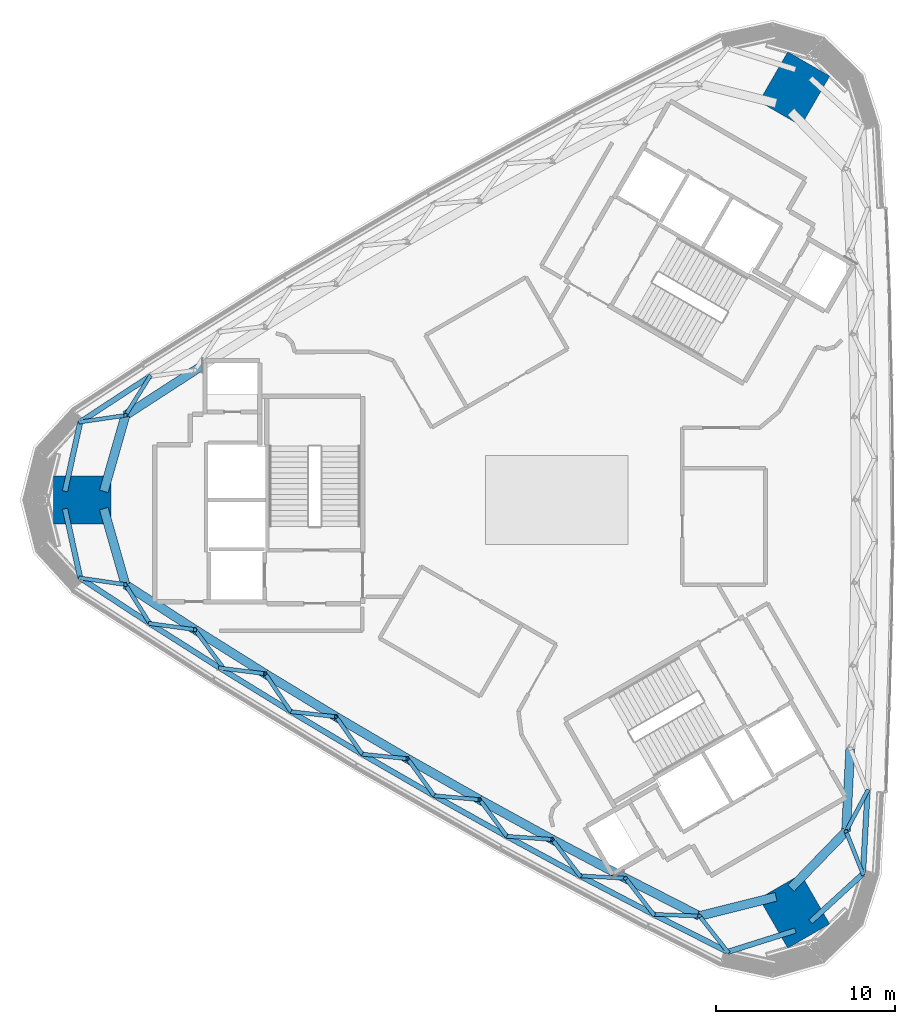
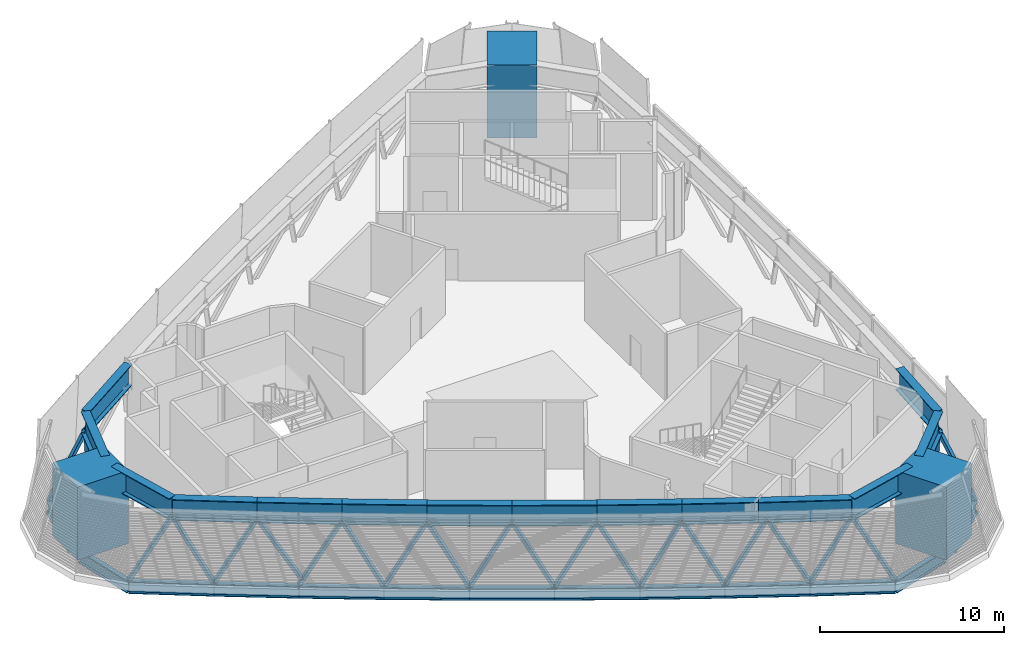
# One storey, part 1 of 18: 29 beams, 22 members, 3 columns.
"""IFC4 building model written with IfcOpenShell, lengths in metres."""

from ifc_helpers import new_model, si_unit, direction, frame, origin, origin_2d, place, context, subcontext, project, spatial, rectangle, hollow_rectangle, i_section, extrude, material, material_profile, profile_set, type_object, element, save


model = new_model("IFC4")

# Units and contexts
model_context = context("Model", 3, precision=1e-05, world=origin(), true_north=direction((0.0, 1.0)))
body_context = subcontext(model_context, "Body", "Model", "MODEL_VIEW")
ifc_project = project(units=[si_unit("LENGTHUNIT", "METRE"), si_unit("AREAUNIT", "SQUARE_METRE"), si_unit("VOLUMEUNIT", "CUBIC_METRE"), si_unit("PLANEANGLEUNIT", "RADIAN"), si_unit("MASSUNIT", "GRAM", prefix="KILO")], contexts=[model_context])

# Site, building, storey
site_placement = place(None, origin())
site = spatial("IfcSite", under=ifc_project, at=site_placement, CompositionType="ELEMENT")
building_placement = place(site_placement, origin())
building = spatial("IfcBuilding", under=site, at=building_placement, Name="Tamra Quay Hotel Tower", CompositionType="ELEMENT")
storey_placement = place(building_placement, frame((0.0, 0.0, 211.60009765625)))
storey = spatial("IfcBuildingStorey", under=building, at=storey_placement, Name="L53", CompositionType="ELEMENT", Elevation=211.60009765625)

# Columns
ifc_material_1 = material(Name="Concrete M70", Category="concrete")
ifc_material_profile_1 = material_profile(ifc_material_1, rectangle(XDim=3.199951171875, YDim=2.699951171875, at=origin_2d()), Name="MEGA COLUMN RC 2700x3200 Z4 BELT")
ifc_profile_set_1 = profile_set([ifc_material_profile_1], Name="Concrete M70")
column_type = type_object("IfcColumnType", Name="MEGA COLUMN RC 2700x3200 Z4 BELT", PredefinedType="COLUMN", material=ifc_profile_set_1)
for number, where, z_axis, x_axis, name in (
    (1, (13.244873046875, 22.94091796875, -0.400146484375), (0.0, 0.0, 1.0), (0.5, 0.866025403784, 0.0), "COL-MR4NE-L53"),
    (2, (-26.48974609375, 0.0, -0.400146484375), (0.0, 0.0, 1.0), (1.0, 0.0, 0.0), "COL-MR4W-L53"),
    (3, (13.244873046875, -22.94091796875, -0.400146484375), (0.0, 0.0, 1.0), (-0.5, 0.866025403784, 0.0), "COL-MR4SE-L53"),
):
    element("IfcColumn", number, at=place(storey_placement, frame(where, z_axis=z_axis, x_axis=x_axis)), inside=storey, type_object=column_type, Name=name, PredefinedType="COLUMN", context=body_context, shape_type="SweptSolid", body=[
        extrude(rectangle(XDim=3.199951171875, YDim=2.699951171875, at=origin_2d()), origin(), (0.0, 0.0, 1.0), 4.85009765625),
    ])

# Members
ifc_material_2 = material(Name="Structural steel IS 2062 E350", Category="steel")
ifc_material_profile_2 = material_profile(ifc_material_2, hollow_rectangle(XDim=0.219970703125, YDim=0.219970703125, WallThickness=0.010009765625, at=origin_2d()), Name="SHS 220x220x10")
ifc_profile_set_2 = profile_set([ifc_material_profile_2], Name="Structural steel IS 2062 E350")
member_type = type_object("IfcMemberType", Name="BELT BRACE SHS 220x220x10 Z4", PredefinedType="BRACE", material=ifc_profile_set_2)
member_1_placement = place(storey_placement, frame((17.069580078125, -20.856201171875, -0.400146484375), z_axis=(-0.214089426408, 0.53635851126, 0.816385487928), x_axis=(-0.928747512287, -0.370712905658, 0.0)))
element("IfcMember", 4, at=member_1_placement, inside=storey, type_object=member_type, Name="BR-L53-000", PredefinedType="BRACE", context=body_context, shape_type="SweptSolid", body=[
    extrude(hollow_rectangle(XDim=0.219970703125, YDim=0.219970703125, WallThickness=0.010009765625, at=origin_2d()), origin(), (0.0, 0.0, 1.0), 4.409912109375),
])
for number, where, z_axis, x_axis, name in (
    (5, (17.326416015625, -16.2255859375, -0.400146484375), (-0.271713670741, -0.512549532589, 0.814533398809), (0.883528375642, -0.468377635498, 0.0), "BR-L53-001"),
    (6, (-22.71484375, 6.892333984375, -0.400146484375), (-0.30806059816, -0.491560204953, 0.814534979463), (0.847350399044, -0.531034180859, 0.0), "BR-L53-032"),
):
    element("IfcMember", number, at=place(storey_placement, frame(where, z_axis=z_axis, x_axis=x_axis)), inside=storey, type_object=member_type, Name=name, PredefinedType="BRACE", context=body_context, shape_type="SweptSolid", body=[
        extrude(hollow_rectangle(XDim=0.219970703125, YDim=0.219970703125, WallThickness=0.010009765625, at=origin_2d()), origin(), (0.0, 0.0, 1.0), 4.419921875),
    ])
for number, where, z_axis, x_axis, name in (
    (7, (-26.5966796875, 4.3544921875, -0.400146484375), (0.571521741796, 0.082824423688, 0.816396358086), (-0.143420907325, 0.989661782298, 0.0), "BR-L53-033"),
    (8, (-26.5966796875, -4.3544921875, -0.400146484375), (0.571521741796, -0.082824423688, 0.816396358086), (0.143420907325, 0.989661782298, 0.0), "BR-L53-034"),
):
    element("IfcMember", number, at=place(storey_placement, frame(where, z_axis=z_axis, x_axis=x_axis)), inside=storey, type_object=member_type, Name=name, PredefinedType="BRACE", context=body_context, shape_type="SweptSolid", body=[
        extrude(hollow_rectangle(XDim=0.219970703125, YDim=0.219970703125, WallThickness=0.010009765625, at=origin_2d()), origin(), (0.0, 0.0, 1.0), 4.40966796875),
    ])
member_2_placement = place(storey_placement, frame((-22.71484375, -6.892333984375, -0.400146484375), z_axis=(-0.30806059816, 0.491560204953, 0.814534979463), x_axis=(-0.847350399044, -0.531034180859, 0.0)))
element("IfcMember", 9, at=member_2_placement, inside=storey, type_object=member_type, Name="BR-L53-035", PredefinedType="BRACE", context=body_context, shape_type="SweptSolid", body=[
    extrude(hollow_rectangle(XDim=0.219970703125, YDim=0.219970703125, WallThickness=0.010009765625, at=origin_2d()), origin(), (0.0, 0.0, 1.0), 4.419921875),
])
member_3_placement = place(storey_placement, frame((-22.71484375, -6.892333984375, -0.400146484375), z_axis=(0.571718294138, -0.077765208774, 0.816756245432), x_axis=(0.134779059198, 0.990875675956, 0.0)))
element("IfcMember", 10, at=member_3_placement, inside=storey, type_object=member_type, Name="BR-L53-036", PredefinedType="BRACE", context=body_context, shape_type="SweptSolid", body=[
    extrude(hollow_rectangle(XDim=0.219970703125, YDim=0.219970703125, WallThickness=0.010009765625, at=origin_2d()), origin(), (0.0, 0.0, 1.0), 4.40771484375),
])
member_4_placement = place(storey_placement, frame((-18.798583984375, -9.376220703125, -0.400146484375), z_axis=(0.572190999156, -0.071967090231, 0.816956668624), x_axis=(0.124791413197, 0.992182998843, 0.0)))
element("IfcMember", 11, at=member_4_placement, inside=storey, type_object=member_type, Name="BR-L53-037", PredefinedType="BRACE", context=body_context, shape_type="SweptSolid", body=[
    extrude(hollow_rectangle(XDim=0.219970703125, YDim=0.219970703125, WallThickness=0.010009765625, at=origin_2d()), origin(), (0.0, 0.0, 1.0), 4.40673828125),
])
member_5_placement = place(storey_placement, frame((-14.847900390625, -11.805908203125, -0.400146484375), z_axis=(-0.323930951184, 0.478813549811, 0.815969560328), x_axis=(-0.828261200999, -0.560342201623, 0.0)))
element("IfcMember", 12, at=member_5_placement, inside=storey, type_object=member_type, Name="BR-L53-038", PredefinedType="BRACE", context=body_context, shape_type="SweptSolid", body=[
    extrude(hollow_rectangle(XDim=0.219970703125, YDim=0.219970703125, WallThickness=0.010009765625, at=origin_2d()), origin(), (0.0, 0.0, 1.0), 4.412109375),
])
member_6_placement = place(storey_placement, frame((-14.847900390625, -11.805908203125, -0.400146484375), z_axis=(0.572971568738, -0.06537482606, 0.816963716168), x_axis=(0.113362345786, 0.993553711964, 0.0)))
element("IfcMember", 13, at=member_6_placement, inside=storey, type_object=member_type, Name="BR-L53-039", PredefinedType="BRACE", context=body_context, shape_type="SweptSolid", body=[
    extrude(hollow_rectangle(XDim=0.219970703125, YDim=0.219970703125, WallThickness=0.010009765625, at=origin_2d()), origin(), (0.0, 0.0, 1.0), 4.40673828125),
])
member_7_placement = place(storey_placement, frame((-10.8642578125, -14.18017578125, -0.400146484375), z_axis=(-0.330842366267, 0.473146112093, 0.816502348615), x_axis=(-0.819524683827, -0.573043883659, 0.0)))
element("IfcMember", 14, at=member_7_placement, inside=storey, type_object=member_type, Name="BR-L53-040", PredefinedType="BRACE", context=body_context, shape_type="SweptSolid", body=[
    extrude(hollow_rectangle(XDim=0.219970703125, YDim=0.219970703125, WallThickness=0.010009765625, at=origin_2d()), origin(), (0.0, 0.0, 1.0), 4.4091796875),
])
for number, where, z_axis, x_axis, name in (
    (15, (-10.8642578125, -14.18017578125, -0.400146484375), (0.573936789026, -0.058052866992, 0.816839290703), (0.100635047895, 0.994923407673, 0.0), "BR-L53-041"),
    (16, (-6.84814453125, -16.498779296875, -0.400146484375), (-0.337287130607, 0.468014282558, 0.816823128253), (-0.811273822759, -0.584666387357, 0.0), "BR-L53-042"),
):
    element("IfcMember", number, at=place(storey_placement, frame(where, z_axis=z_axis, x_axis=x_axis)), inside=storey, type_object=member_type, Name=name, PredefinedType="BRACE", context=body_context, shape_type="SweptSolid", body=[
        extrude(hollow_rectangle(XDim=0.219970703125, YDim=0.219970703125, WallThickness=0.010009765625, at=origin_2d()), origin(), (0.0, 0.0, 1.0), 4.407470703125),
    ])
member_8_placement = place(storey_placement, frame((-6.84814453125, -16.498779296875, -0.400146484375), z_axis=(0.575152279908, -0.049945831951, 0.81652021946), x_axis=(0.086513728131, 0.996250658642, 0.0)))
element("IfcMember", 17, at=member_8_placement, inside=storey, type_object=member_type, Name="BR-L53-043", PredefinedType="BRACE", context=body_context, shape_type="SweptSolid", body=[
    extrude(hollow_rectangle(XDim=0.219970703125, YDim=0.219970703125, WallThickness=0.010009765625, at=origin_2d()), origin(), (0.0, 0.0, 1.0), 4.4091796875),
])
member_9_placement = place(storey_placement, frame((-2.80029296875, -18.76171875, -0.400146484375), z_axis=(-0.343101464201, 0.46354431632, 0.816950458761), x_axis=(-0.803776667436, -0.59493114634, 0.0)))
element("IfcMember", 18, at=member_9_placement, inside=storey, type_object=member_type, Name="BR-L53-044", PredefinedType="BRACE", context=body_context, shape_type="SweptSolid", body=[
    extrude(hollow_rectangle(XDim=0.219970703125, YDim=0.219970703125, WallThickness=0.010009765625, at=origin_2d()), origin(), (0.0, 0.0, 1.0), 4.40673828125),
])
member_10_placement = place(storey_placement, frame((-2.80029296875, -18.76171875, -0.400146484375), z_axis=(0.576603938247, -0.041114848956, 0.81598864428), x_axis=(0.071124597609, 0.997467438875, 0.0)))
element("IfcMember", 19, at=member_10_placement, inside=storey, type_object=member_type, Name="BR-L53-045", PredefinedType="BRACE", context=body_context, shape_type="SweptSolid", body=[
    extrude(hollow_rectangle(XDim=0.219970703125, YDim=0.219970703125, WallThickness=0.010009765625, at=origin_2d()), origin(), (0.0, 0.0, 1.0), 4.411865234375),
])
member_11_placement = place(storey_placement, frame((1.279296875, -20.96826171875, -0.400146484375), z_axis=(-0.348469426738, 0.459547519044, 0.816936433494), x_axis=(-0.796818850011, -0.60421827204, 0.0)))
element("IfcMember", 20, at=member_11_placement, inside=storey, type_object=member_type, Name="BR-L53-046", PredefinedType="BRACE", context=body_context, shape_type="SweptSolid", body=[
    extrude(hollow_rectangle(XDim=0.219970703125, YDim=0.219970703125, WallThickness=0.010009765625, at=origin_2d()), origin(), (0.0, 0.0, 1.0), 4.40673828125),
])
member_12_placement = place(storey_placement, frame((1.279296875, -20.96826171875, -0.400146484375), z_axis=(0.578060450742, -0.031407914293, 0.815389267901), x_axis=(0.054253247956, 0.998527207985, 0.0)))
element("IfcMember", 21, at=member_12_placement, inside=storey, type_object=member_type, Name="BR-L53-047", PredefinedType="BRACE", context=body_context, shape_type="SweptSolid", body=[
    extrude(hollow_rectangle(XDim=0.219970703125, YDim=0.219970703125, WallThickness=0.010009765625, at=origin_2d()), origin(), (0.0, 0.0, 1.0), 4.415283203125),
])
member_13_placement = place(storey_placement, frame((5.388427734375, -23.117919921875, -0.400146484375), z_axis=(-0.353211676845, 0.456234057108, 0.816756999649), x_axis=(-0.790725206585, -0.612171256816, 0.0)))
element("IfcMember", 22, at=member_13_placement, inside=storey, type_object=member_type, Name="BR-L53-048", PredefinedType="BRACE", context=body_context, shape_type="SweptSolid", body=[
    extrude(hollow_rectangle(XDim=0.219970703125, YDim=0.219970703125, WallThickness=0.010009765625, at=origin_2d()), origin(), (0.0, 0.0, 1.0), 4.40771484375),
])
member_14_placement = place(storey_placement, frame((5.388427734375, -23.117919921875, -0.400146484375), z_axis=(0.579761276105, -0.020989832786, 0.814515984894), x_axis=(0.036180564238, 0.999345269049, 0.0)))
element("IfcMember", 23, at=member_14_placement, inside=storey, type_object=member_type, Name="BR-L53-049", PredefinedType="BRACE", context=body_context, shape_type="SweptSolid", body=[
    extrude(hollow_rectangle(XDim=0.219970703125, YDim=0.219970703125, WallThickness=0.010009765625, at=origin_2d()), origin(), (0.0, 0.0, 1.0), 4.419921875),
])
member_15_placement = place(storey_placement, frame((9.527099609375, -25.210693359375, -0.400146484375), z_axis=(-0.357436884836, 0.453550644451, 0.816413306039), x_axis=(-0.785412575267, -0.618972605704, 0.0)))
element("IfcMember", 24, at=member_15_placement, inside=storey, type_object=member_type, Name="BR-L53-050", PredefinedType="BRACE", context=body_context, shape_type="SweptSolid", body=[
    extrude(hollow_rectangle(XDim=0.219970703125, YDim=0.219970703125, WallThickness=0.010009765625, at=origin_2d()), origin(), (0.0, 0.0, 1.0), 4.40966796875),
])
member_16_placement = place(storey_placement, frame((-18.59375, -9.402099609375, -0.11865234375), z_axis=(-0.374553097601, 0.506943167781, 0.776349535787), x_axis=(-0.804285351487, -0.594243277946, 0.0)))
element("IfcMember", 25, at=member_16_placement, inside=storey, type_object=member_type, Name="BR-L53-053B", PredefinedType="BRACE", context=body_context, shape_type="SweptSolid", body=[
    extrude(hollow_rectangle(XDim=0.219970703125, YDim=0.219970703125, WallThickness=0.010009765625, at=origin_2d()), origin(), (0.0, 0.0, 1.0), 4.274658203125),
])

# Beams
ifc_material_profile_3 = material_profile(ifc_material_2, i_section(OverallWidth=0.302978515625, OverallDepth=0.81396484375, WebThickness=0.02099609375, FlangeThickness=0.0400390625, at=origin_2d()), Name="WPB 800x300x317")
ifc_profile_set_3 = profile_set([ifc_material_profile_3], Name="Structural steel IS 2062 E350")
beam_type_1 = type_object("IfcBeamType", Name="BELT CHORD WPB 800x300x317 Z4", PredefinedType="BEAM", material=ifc_profile_set_3)
for number, where, z_axis, x_axis, name in (
    (26, (17.069580078125, -20.856201171875, -0.80712890625), (0.055379636718, 0.998465370374, 0.0), (-0.998465370374, 0.055379636718, 0.0), "BM-CHB-L53-000"),
    (27, (-22.71484375, 6.892333984375, -0.80712890625), (-0.836997433708, -0.547206812792, 0.0), (0.547206812792, -0.836997433708, 0.0), "BM-CHB-L53-019"),
):
    element("IfcBeam", number, at=place(storey_placement, frame(where, z_axis=z_axis, x_axis=x_axis)), inside=storey, type_object=beam_type_1, Name=name, PredefinedType="BEAM", context=body_context, shape_type="SweptSolid", body=[
        extrude(i_section(OverallWidth=0.302978515625, OverallDepth=0.81396484375, WebThickness=0.02099609375, FlangeThickness=0.0400390625, at=origin_2d()), origin(), (0.0, 0.0, 1.0), 4.6376953125),
    ])
for number, where, z_axis, x_axis, name in (
    (28, (-26.5966796875, 4.3544921875, -0.80712890625), (-0.215781407579, -0.976441695209, 0.0), (0.976441695209, -0.215781407579, 0.0), "BM-CHB-L53-020"),
    (29, (-27.451171875, -0.48779296875, -0.80712890625), (0.215781407579, -0.976441695209, 0.0), (0.976441695209, 0.215781407579, 0.0), "BM-CHB-L53-021"),
):
    element("IfcBeam", number, at=place(storey_placement, frame(where, z_axis=z_axis, x_axis=x_axis)), inside=storey, type_object=beam_type_1, Name=name, PredefinedType="BEAM", context=body_context, shape_type="SweptSolid", body=[
        extrude(i_section(OverallWidth=0.302978515625, OverallDepth=0.81396484375, WebThickness=0.02099609375, FlangeThickness=0.0400390625, at=origin_2d()), origin(), (0.0, 0.0, 1.0), 3.9599609375),
    ])
beam_1_placement = place(storey_placement, frame((-26.5966796875, -4.3544921875, -0.80712890625), z_axis=(0.836997433708, -0.547206812792, 0.0), x_axis=(0.547206812792, 0.836997433708, 0.0)))
element("IfcBeam", 30, at=beam_1_placement, inside=storey, type_object=beam_type_1, Name="BM-CHB-L53-022", PredefinedType="BEAM", context=body_context, shape_type="SweptSolid", body=[
    extrude(i_section(OverallWidth=0.302978515625, OverallDepth=0.81396484375, WebThickness=0.02099609375, FlangeThickness=0.0400390625, at=origin_2d()), origin(), (0.0, 0.0, 1.0), 4.6376953125),
])
beam_2_placement = place(storey_placement, frame((-22.71484375, -6.892333984375, -0.80712890625), z_axis=(0.844469087258, -0.535604294854, 0.0), x_axis=(0.535604294854, 0.844469087258, 0.0)))
element("IfcBeam", 31, at=beam_2_placement, inside=storey, type_object=beam_type_1, Name="BM-CHB-L53-023", PredefinedType="BEAM", context=body_context, shape_type="SweptSolid", body=[
    extrude(i_section(OverallWidth=0.302978515625, OverallDepth=0.81396484375, WebThickness=0.02099609375, FlangeThickness=0.0400390625, at=origin_2d()), origin(), (0.0, 0.0, 1.0), 4.637451171875),
])
beam_3_placement = place(storey_placement, frame((-18.798583984375, -9.376220703125, -0.80712890625), z_axis=(0.851802871864, -0.52386245092, 0.0), x_axis=(0.52386245092, 0.851802871864, 0.0)))
element("IfcBeam", 32, at=beam_3_placement, inside=storey, type_object=beam_type_1, Name="BM-CHB-L53-024", PredefinedType="BEAM", context=body_context, shape_type="SweptSolid", body=[
    extrude(i_section(OverallWidth=0.302978515625, OverallDepth=0.81396484375, WebThickness=0.02099609375, FlangeThickness=0.0400390625, at=origin_2d()), origin(), (0.0, 0.0, 1.0), 4.637939453125),
])
for number, where, z_axis, x_axis, name in (
    (33, (-14.847900390625, -11.805908203125, -0.80712890625), (0.859003520723, -0.51196967819, 0.0), (0.51196967819, 0.859003520723, 0.0), "BM-CHB-L53-025"),
    (34, (-10.8642578125, -14.18017578125, -0.80712890625), (0.866034794193, -0.499983734982, 0.0), (0.499983734982, 0.866034794193, 0.0), "BM-CHB-L53-026"),
    (35, (-6.84814453125, -16.498779296875, -0.80712890625), (0.87286038903, -0.487970020864, 0.0), (0.487970020864, 0.87286038903, 0.0), "BM-CHB-L53-027"),
):
    element("IfcBeam", number, at=place(storey_placement, frame(where, z_axis=z_axis, x_axis=x_axis)), inside=storey, type_object=beam_type_1, Name=name, PredefinedType="BEAM", context=body_context, shape_type="SweptSolid", body=[
        extrude(i_section(OverallWidth=0.302978515625, OverallDepth=0.81396484375, WebThickness=0.02099609375, FlangeThickness=0.0400390625, at=origin_2d()), origin(), (0.0, 0.0, 1.0), 4.637451171875),
    ])
beam_4_placement = place(storey_placement, frame((-2.80029296875, -18.76171875, -0.80712890625), z_axis=(0.879583890062, -0.475743817976, 0.0), x_axis=(0.475743817976, 0.879583890062, 0.0)))
element("IfcBeam", 36, at=beam_4_placement, inside=storey, type_object=beam_type_1, Name="BM-CHB-L53-028", PredefinedType="BEAM", context=body_context, shape_type="SweptSolid", body=[
    extrude(i_section(OverallWidth=0.302978515625, OverallDepth=0.81396484375, WebThickness=0.02099609375, FlangeThickness=0.0400390625, at=origin_2d()), origin(), (0.0, 0.0, 1.0), 4.63818359375),
])
beam_5_placement = place(storey_placement, frame((1.279296875, -20.96826171875, -0.80712890625), z_axis=(0.88607459412, -0.463542677275, 0.0), x_axis=(0.463542677275, 0.88607459412, 0.0)))
element("IfcBeam", 37, at=beam_5_placement, inside=storey, type_object=beam_type_1, Name="BM-CHB-L53-029", PredefinedType="BEAM", context=body_context, shape_type="SweptSolid", body=[
    extrude(i_section(OverallWidth=0.302978515625, OverallDepth=0.81396484375, WebThickness=0.02099609375, FlangeThickness=0.0400390625, at=origin_2d()), origin(), (0.0, 0.0, 1.0), 4.637451171875),
])
beam_6_placement = place(storey_placement, frame((5.388427734375, -23.117919921875, -0.80712890625), z_axis=(0.892396579497, -0.451251974956, 0.0), x_axis=(0.451251974956, 0.892396579497, 0.0)))
element("IfcBeam", 38, at=beam_6_placement, inside=storey, type_object=beam_type_1, Name="BM-CHB-L53-030", PredefinedType="BEAM", context=body_context, shape_type="SweptSolid", body=[
    extrude(i_section(OverallWidth=0.302978515625, OverallDepth=0.81396484375, WebThickness=0.02099609375, FlangeThickness=0.0400390625, at=origin_2d()), origin(), (0.0, 0.0, 1.0), 4.6376953125),
])
beam_7_placement = place(storey_placement, frame((9.527099609375, -25.210693359375, -0.80712890625), z_axis=(0.953511824231, 0.301355605641, 0.0), x_axis=(-0.301355605641, 0.953511824231, 0.0)))
element("IfcBeam", 39, at=beam_7_placement, inside=storey, type_object=beam_type_1, Name="BM-CHB-L53-031", PredefinedType="BEAM", context=body_context, shape_type="SweptSolid", body=[
    extrude(i_section(OverallWidth=0.302978515625, OverallDepth=0.81396484375, WebThickness=0.02099609375, FlangeThickness=0.0400390625, at=origin_2d()), origin(), (0.0, 0.0, 1.0), 3.9599609375),
])
beam_8_placement = place(storey_placement, frame((14.14794921875, -23.52978515625, -0.80712890625), z_axis=(0.737729632314, 0.67509628173, 0.0), x_axis=(-0.67509628173, 0.737729632314, 0.0)))
element("IfcBeam", 40, at=beam_8_placement, inside=storey, type_object=beam_type_1, Name="BM-CHB-L53-032", PredefinedType="BEAM", context=body_context, shape_type="SweptSolid", body=[
    extrude(i_section(OverallWidth=0.302978515625, OverallDepth=0.81396484375, WebThickness=0.02099609375, FlangeThickness=0.0400390625, at=origin_2d()), origin(), (0.0, 0.0, 1.0), 3.960205078125),
])
ifc_material_profile_4 = material_profile(ifc_material_2, i_section(OverallWidth=0.5, OverallDepth=1.39990234375, WebThickness=0.02490234375, FlangeThickness=0.050048828125, at=origin_2d()), Name="WPG 1400x500x25x50")
ifc_profile_set_4 = profile_set([ifc_material_profile_4], Name="Structural steel IS 2062 E350")
beam_type_2 = type_object("IfcBeamType", Name="BELT TOP CHORD WPG 1400x500x25x50 Z4", PredefinedType="USERDEFINED", material=ifc_profile_set_4)
beam_9_placement = place(storey_placement, frame((16.12548828125, -18.490966796875, 3.75), z_axis=(0.051409125155, 0.998677676656, 0.0), x_axis=(-0.998677676656, 0.051409125155, 0.0)))
element("IfcBeam", 41, at=beam_9_placement, inside=storey, type_object=beam_type_2, Name="BM-CHT-L53-000", ObjectType="TRANSFER GIRDER", PredefinedType="USERDEFINED", context=body_context, shape_type="SweptSolid", body=[
    extrude(i_section(OverallWidth=0.5, OverallDepth=1.39990234375, WebThickness=0.02490234375, FlangeThickness=0.050048828125, at=origin_2d()), origin(), (0.0, 0.0, 1.0), 4.62548828125),
])
beam_10_placement = place(storey_placement, frame((-19.80224609375, 7.489501953125, 3.75), z_axis=(-0.839199575781, -0.543823566986, 0.0), x_axis=(0.543823566986, -0.839199575781, 0.0)))
element("IfcBeam", 42, at=beam_10_placement, inside=storey, type_object=beam_type_2, Name="BM-CHT-L53-017", ObjectType="TRANSFER GIRDER", PredefinedType="USERDEFINED", context=body_context, shape_type="SweptSolid", body=[
    extrude(i_section(OverallWidth=0.5, OverallDepth=1.39990234375, WebThickness=0.02490234375, FlangeThickness=0.050048828125, at=origin_2d()), origin(), (0.0, 0.0, 1.0), 5.09326171875),
])
for number, where, z_axis, x_axis, name in (
    (43, (-24.076416015625, 4.7197265625, 3.75), (-0.273894384412, -0.961759775717, 0.0), (0.961759775717, -0.273894384412, 0.0), "BM-CHT-L53-018"),
    (44, (-25.28369140625, -0.48046875, 3.75), (0.273894384412, -0.961759775717, 0.0), (0.961759775717, 0.273894384412, 0.0), "BM-CHT-L53-019"),
):
    element("IfcBeam", number, at=place(storey_placement, frame(where, z_axis=z_axis, x_axis=x_axis)), inside=storey, type_object=beam_type_2, Name=name, ObjectType="TRANSFER GIRDER", PredefinedType="USERDEFINED", context=body_context, shape_type="SweptSolid", body=[
        extrude(i_section(OverallWidth=0.5, OverallDepth=1.39990234375, WebThickness=0.02490234375, FlangeThickness=0.050048828125, at=origin_2d()), origin(), (0.0, 0.0, 1.0), 4.40771484375),
    ])
beam_11_placement = place(storey_placement, frame((-24.076416015625, -4.7197265625, 3.75), z_axis=(0.839198934581, -0.54382455645, 0.0), x_axis=(0.54382455645, 0.839198934581, 0.0)))
element("IfcBeam", 45, at=beam_11_placement, inside=storey, type_object=beam_type_2, Name="BM-CHT-L53-020", ObjectType="TRANSFER GIRDER", PredefinedType="USERDEFINED", context=body_context, shape_type="SweptSolid", body=[
    extrude(i_section(OverallWidth=0.5, OverallDepth=1.39990234375, WebThickness=0.02490234375, FlangeThickness=0.050048828125, at=origin_2d()), origin(), (0.0, 0.0, 1.0), 4.625244140625),
])
beam_12_placement = place(storey_placement, frame((-20.19482421875, -7.235107421875, 3.75), z_axis=(0.847056904841, -0.531502210684, 0.0), x_axis=(0.531502210684, 0.847056904841, 0.0)))
element("IfcBeam", 46, at=beam_12_placement, inside=storey, type_object=beam_type_2, Name="BM-CHT-L53-021", ObjectType="TRANSFER GIRDER", PredefinedType="USERDEFINED", context=body_context, shape_type="SweptSolid", body=[
    extrude(i_section(OverallWidth=0.5, OverallDepth=1.39990234375, WebThickness=0.02490234375, FlangeThickness=0.050048828125, at=origin_2d()), origin(), (0.0, 0.0, 1.0), 4.625),
])
beam_13_placement = place(storey_placement, frame((-16.277099609375, -9.693359375, 3.75), z_axis=(0.85479420464, -0.518967116216, 0.0), x_axis=(0.518967116216, 0.85479420464, 0.0)))
element("IfcBeam", 47, at=beam_13_placement, inside=storey, type_object=beam_type_2, Name="BM-CHT-L53-022", ObjectType="TRANSFER GIRDER", PredefinedType="USERDEFINED", context=body_context, shape_type="SweptSolid", body=[
    extrude(i_section(OverallWidth=0.5, OverallDepth=1.39990234375, WebThickness=0.02490234375, FlangeThickness=0.050048828125, at=origin_2d()), origin(), (0.0, 0.0, 1.0), 4.625732421875),
])
beam_14_placement = place(storey_placement, frame((-12.322998046875, -12.093994140625, 3.75), z_axis=(0.862312568749, -0.506376375612, 0.0), x_axis=(0.506376375612, 0.862312568749, 0.0)))
element("IfcBeam", 48, at=beam_14_placement, inside=storey, type_object=beam_type_2, Name="BM-CHT-L53-023", ObjectType="TRANSFER GIRDER", PredefinedType="USERDEFINED", context=body_context, shape_type="SweptSolid", body=[
    extrude(i_section(OverallWidth=0.5, OverallDepth=1.39990234375, WebThickness=0.02490234375, FlangeThickness=0.050048828125, at=origin_2d()), origin(), (0.0, 0.0, 1.0), 4.625),
])
beam_15_placement = place(storey_placement, frame((-8.334716796875, -14.43603515625, 3.75), z_axis=(0.869691427022, -0.49359580809, 0.0), x_axis=(0.49359580809, 0.869691427022, 0.0)))
element("IfcBeam", 49, at=beam_15_placement, inside=storey, type_object=beam_type_2, Name="BM-CHT-L53-024", ObjectType="TRANSFER GIRDER", PredefinedType="USERDEFINED", context=body_context, shape_type="SweptSolid", body=[
    extrude(i_section(OverallWidth=0.5, OverallDepth=1.39990234375, WebThickness=0.02490234375, FlangeThickness=0.050048828125, at=origin_2d()), origin(), (0.0, 0.0, 1.0), 4.625244140625),
])
beam_16_placement = place(storey_placement, frame((-4.312255859375, -16.718994140625, 3.75), z_axis=(0.876820304317, -0.480818212985, 0.0), x_axis=(0.480818212985, 0.876820304317, 0.0)))
element("IfcBeam", 50, at=beam_16_placement, inside=storey, type_object=beam_type_2, Name="BM-CHT-L53-025", ObjectType="TRANSFER GIRDER", PredefinedType="USERDEFINED", context=body_context, shape_type="SweptSolid", body=[
    extrude(i_section(OverallWidth=0.5, OverallDepth=1.39990234375, WebThickness=0.02490234375, FlangeThickness=0.050048828125, at=origin_2d()), origin(), (0.0, 0.0, 1.0), 4.625732421875),
])
beam_17_placement = place(storey_placement, frame((-0.25634765625, -18.943115234375, 3.75), z_axis=(0.883815026629, -0.46783650852, 0.0), x_axis=(0.46783650852, 0.883815026629, 0.0)))
element("IfcBeam", 51, at=beam_17_placement, inside=storey, type_object=beam_type_2, Name="BM-CHT-L53-026", ObjectType="TRANSFER GIRDER", PredefinedType="USERDEFINED", context=body_context, shape_type="SweptSolid", body=[
    extrude(i_section(OverallWidth=0.5, OverallDepth=1.39990234375, WebThickness=0.02490234375, FlangeThickness=0.050048828125, at=origin_2d()), origin(), (0.0, 0.0, 1.0), 4.161865234375),
])
beam_18_placement = place(storey_placement, frame((3.414794921875, -20.89404296875, 3.75), z_axis=(0.890579240684, -0.454828117053, 0.0), x_axis=(0.454828117053, 0.890579240684, 0.0)))
element("IfcBeam", 52, at=beam_18_placement, inside=storey, type_object=beam_type_2, Name="BM-CHT-L53-027", ObjectType="TRANSFER GIRDER", PredefinedType="USERDEFINED", context=body_context, shape_type="SweptSolid", body=[
    extrude(i_section(OverallWidth=0.5, OverallDepth=1.39990234375, WebThickness=0.02490234375, FlangeThickness=0.050048828125, at=origin_2d()), origin(), (0.0, 0.0, 1.0), 5.093505859375),
])
beam_19_placement = place(storey_placement, frame((7.950927734375, -23.210693359375, 3.75), z_axis=(0.969848559092, 0.243708375785, 0.0), x_axis=(-0.243708375785, 0.969848559092, 0.0)))
element("IfcBeam", 53, at=beam_19_placement, inside=storey, type_object=beam_type_2, Name="BM-CHT-L53-028", ObjectType="TRANSFER GIRDER", PredefinedType="USERDEFINED", context=body_context, shape_type="SweptSolid", body=[
    extrude(i_section(OverallWidth=0.5, OverallDepth=1.39990234375, WebThickness=0.02490234375, FlangeThickness=0.050048828125, at=origin_2d()), origin(), (0.0, 0.0, 1.0), 4.40771484375),
])
beam_20_placement = place(storey_placement, frame((13.05810546875, -21.656005859375, 3.75), z_axis=(0.6959416476, 0.718098338068, 0.0), x_axis=(-0.718098338068, 0.6959416476, 0.0)))
element("IfcBeam", 54, at=beam_20_placement, inside=storey, type_object=beam_type_2, Name="BM-CHT-L53-029", ObjectType="TRANSFER GIRDER", PredefinedType="USERDEFINED", context=body_context, shape_type="SweptSolid", body=[
    extrude(i_section(OverallWidth=0.5, OverallDepth=1.39990234375, WebThickness=0.02490234375, FlangeThickness=0.050048828125, at=origin_2d()), origin(), (0.0, 0.0, 1.0), 4.407470703125),
])

save(model, "model.ifc")
